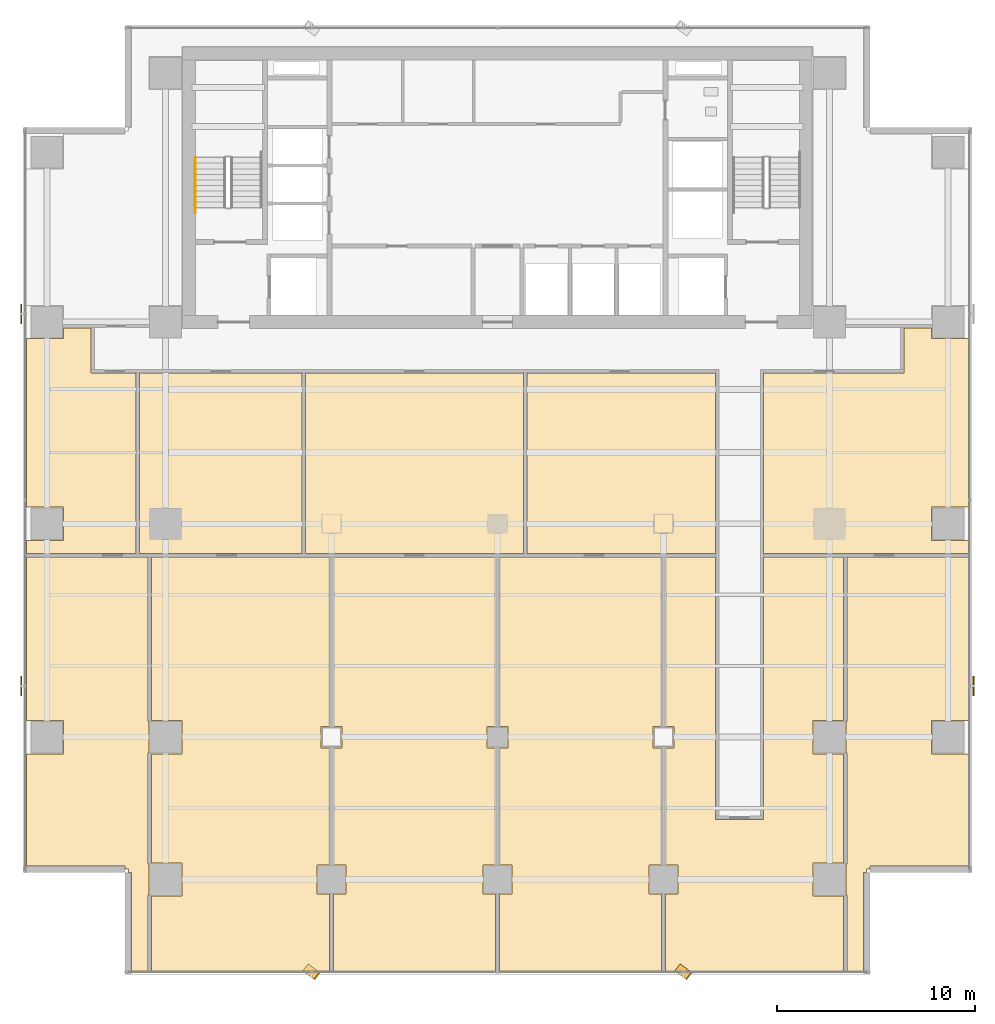
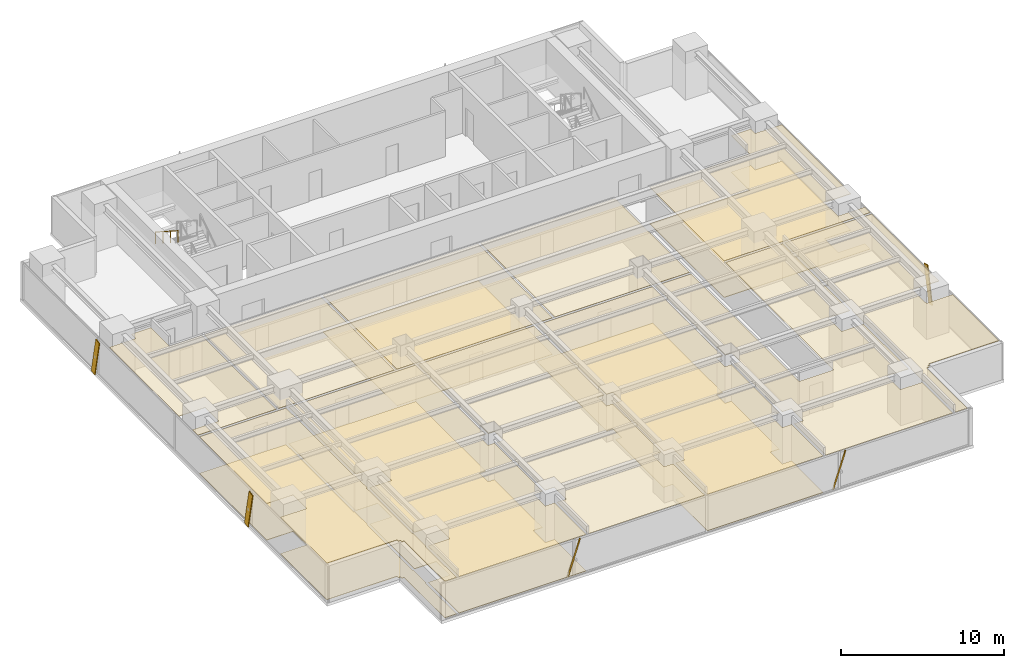
# One storey, part 24 of 28: 16 coverings, 5 shading devices, 1 railing.
"""IFC4 building model written with IfcOpenShell, lengths in metres."""

from ifc_helpers import new_model, si_unit, direction, frame, origin, origin_2d, place, context, subcontext, project, spatial, polyline, rectangle, outline, extrude, source, transform, mapped, material, layer, layer_set, material_profile, profile_set, type_object, element, save


model = new_model("IFC4")

# Units and contexts
model_context = context("Model", 3, precision=1e-05, world=origin(), true_north=direction((0.0, 1.0)))
body_context = subcontext(model_context, "Body", "Model", "MODEL_VIEW")
ifc_project = project(units=[si_unit("LENGTHUNIT", "METRE"), si_unit("AREAUNIT", "SQUARE_METRE"), si_unit("VOLUMEUNIT", "CUBIC_METRE"), si_unit("PLANEANGLEUNIT", "RADIAN"), si_unit("MASSUNIT", "GRAM", prefix="KILO")], contexts=[model_context])

# Site, building, storey
site_placement = place(None, origin())
site = spatial("IfcSite", under=ifc_project, at=site_placement, CompositionType="ELEMENT")
building_placement = place(site_placement, origin())
building = spatial("IfcBuilding", under=site, at=building_placement, Name="Sumidabori Civic Tower", CompositionType="ELEMENT")
storey_placement = place(building_placement, frame((0.0, 0.0, 146.0)))
storey = spatial("IfcBuildingStorey", under=building, at=storey_placement, Name="L37", CompositionType="ELEMENT", Elevation=146.0)

# Coverings
ifc_material_1 = material(Name="Acoustic Mineral Gypsum Ceiling Tile")
ifc_layer_1 = layer(ifc_material_1, 0.034912109375, Name="Acoustic Mineral Gypsum Ceiling Tile")
ifc_layer_set_1 = layer_set([ifc_layer_1], Name="Acoustic Mineral Gypsum Ceiling Tile")
covering_type_1 = type_object("IfcCoveringType", Name="CV-CEIL-AC1", PredefinedType="CEILING", material=ifc_layer_set_1)
covering_1_placement = place(storey_placement, frame((0.0, 0.0, 2.72998046875)))
element("IfcCovering", 1, at=covering_1_placement, inside=storey, type_object=covering_type_1, Name="Room Acoustic Ceiling L37-02", PredefinedType="CEILING", context=body_context, shape_type="SweptSolid", body=[
    extrude(outline(polyline([(-21.9599609375, 9.360107421875), (-21.9599609375, 9.905029296875), (-20.570068359375, 9.905029296875), (-20.570068359375, 7.6298828125), (-18.294921875, 7.6298828125), (-18.294921875, -1.5048828125), (-23.830078125, -1.5048828125), (-23.830078125, -0.840087890625), (-21.9599609375, -0.840087890625), (-21.9599609375, 0.840087890625), (-23.830078125, 0.840087890625), (-23.830078125, 9.360107421875), (-21.9599609375, 9.360107421875)])), origin(), (0.0, 0.0, 1.0), 0.034912109375),
])
covering_2_placement = place(storey_placement, frame((0.0, 0.0, 2.72998046875)))
element("IfcCovering", 2, at=covering_2_placement, inside=storey, type_object=covering_type_1, Name="Room Acoustic Ceiling L37-03", PredefinedType="CEILING", context=body_context, shape_type="SweptSolid", body=[
    extrude(outline(polyline([(13.469970703125, 7.6298828125), (20.570068359375, 7.6298828125), (20.570068359375, 9.905029296875), (21.9599609375, 9.905029296875), (21.9599609375, 9.360107421875), (23.830078125, 9.360107421875), (23.830078125, 0.840087890625), (21.9599609375, 0.840087890625), (21.9599609375, -0.840087890625), (23.830078125, -0.840087890625), (23.830078125, -1.5048828125), (13.469970703125, -1.5048828125), (13.469970703125, 7.6298828125)])), origin(), (0.0, 0.0, 1.0), 0.034912109375),
])
covering_3_placement = place(storey_placement, frame((0.0, 0.0, 2.72998046875)))
element("IfcCovering", 3, at=covering_3_placement, inside=storey, type_object=covering_type_1, Name="Room Acoustic Ceiling L37-04", PredefinedType="CEILING", context=body_context, shape_type="SweptSolid", body=[
    extrude(outline(polyline([(-18.10498046875, 7.6298828125), (-9.89501953125, 7.6298828125), (-9.89501953125, -1.5048828125), (-18.10498046875, -1.5048828125), (-18.10498046875, 7.6298828125)])), origin(), (0.0, 0.0, 1.0), 0.034912109375),
])
covering_4_placement = place(storey_placement, frame((0.0, 0.0, 2.72998046875)))
element("IfcCovering", 4, at=covering_4_placement, inside=storey, type_object=covering_type_1, Name="Room Acoustic Ceiling L37-05", PredefinedType="CEILING", context=body_context, shape_type="SweptSolid", body=[
    extrude(outline(polyline([(-9.705078125, 7.6298828125), (1.304931640625, 7.6298828125), (1.304931640625, -1.5048828125), (-9.705078125, -1.5048828125), (-9.705078125, 7.6298828125)])), origin(), (0.0, 0.0, 1.0), 0.034912109375),
])
covering_5_placement = place(storey_placement, frame((0.0, 0.0, 2.72998046875)))
element("IfcCovering", 5, at=covering_5_placement, inside=storey, type_object=covering_type_1, Name="Room Acoustic Ceiling L37-06", PredefinedType="CEILING", context=body_context, shape_type="SweptSolid", body=[
    extrude(outline(polyline([(1.4951171875, 7.6298828125), (11.030029296875, 7.6298828125), (11.030029296875, -1.5048828125), (1.4951171875, -1.5048828125), (1.4951171875, 7.6298828125)])), origin(), (0.0, 0.0, 1.0), 0.034912109375),
])
covering_6_placement = place(storey_placement, frame((0.0, 0.0, 2.72998046875)))
element("IfcCovering", 6, at=covering_6_placement, inside=storey, type_object=covering_type_1, Name="Room Acoustic Ceiling L37-07", PredefinedType="CEILING", context=body_context, shape_type="SweptSolid", body=[
    extrude(outline(polyline([(-21.9599609375, -11.639892578125), (-21.9599609375, -9.9599609375), (-23.830078125, -9.9599609375), (-23.830078125, -1.695068359375), (-17.695068359375, -1.695068359375), (-17.695068359375, -10.010009765625), (-17.639892578125, -10.010009765625), (-17.639892578125, -11.590087890625), (-17.695068359375, -11.590087890625), (-17.695068359375, -17.2099609375), (-17.639892578125, -17.2099609375), (-17.639892578125, -18.7900390625), (-17.695068359375, -18.7900390625), (-17.695068359375, -22.6298828125), (-18.52197265625, -22.6298828125), (-18.52197265625, -17.64208984375), (-18.679931640625, -17.64208984375), (-18.679931640625, -17.47998046875), (-18.842041015625, -17.47998046875), (-18.842041015625, -17.322021484375), (-23.830078125, -17.322021484375), (-23.830078125, -11.639892578125), (-21.9599609375, -11.639892578125)])), origin(), (0.0, 0.0, 1.0), 0.034912109375),
])
covering_7_placement = place(storey_placement, frame((0.0, 0.0, 2.72998046875)))
element("IfcCovering", 7, at=covering_7_placement, inside=storey, type_object=covering_type_1, Name="Room Acoustic Ceiling L37-08", PredefinedType="CEILING", context=body_context, shape_type="SweptSolid", body=[
    extrude(outline(polyline([(17.695068359375, -18.7900390625), (17.639892578125, -18.7900390625), (17.639892578125, -17.2099609375), (17.695068359375, -17.2099609375), (17.695068359375, -11.590087890625), (17.639892578125, -11.590087890625), (17.639892578125, -10.010009765625), (17.695068359375, -10.010009765625), (17.695068359375, -1.695068359375), (23.830078125, -1.695068359375), (23.830078125, -9.9599609375), (21.9599609375, -9.9599609375), (21.9599609375, -11.639892578125), (23.830078125, -11.639892578125), (23.830078125, -17.322021484375), (18.842041015625, -17.322021484375), (18.842041015625, -17.47998046875), (18.679931640625, -17.47998046875), (18.679931640625, -17.64208984375), (18.52197265625, -17.64208984375), (18.52197265625, -22.6298828125), (17.695068359375, -22.6298828125), (17.695068359375, -18.7900390625)])), origin(), (0.0, 0.0, 1.0), 0.034912109375),
])
covering_8_placement = place(storey_placement, frame((0.0, 0.0, 2.72998046875)))
element("IfcCovering", 8, at=covering_8_placement, inside=storey, type_object=covering_type_1, Name="Room Acoustic Ceiling L37-09", PredefinedType="CEILING", context=body_context, shape_type="SweptSolid", body=[
    extrude(outline(polyline([(-17.5048828125, -18.840087890625), (-15.9599609375, -18.840087890625), (-15.9599609375, -17.159912109375), (-17.5048828125, -17.159912109375), (-17.5048828125, -11.639892578125), (-15.9599609375, -11.639892578125), (-15.9599609375, -9.9599609375), (-17.5048828125, -9.9599609375), (-17.5048828125, -1.695068359375), (-8.4951171875, -1.695068359375), (-8.4951171875, -10.260009765625), (-8.93994140625, -10.260009765625), (-8.93994140625, -11.340087890625), (-8.4951171875, -11.340087890625), (-8.4951171875, -17.260009765625), (-9.139892578125, -17.260009765625), (-9.139892578125, -18.739990234375), (-8.4951171875, -18.739990234375), (-8.4951171875, -22.6298828125), (-17.5048828125, -22.6298828125), (-17.5048828125, -18.840087890625)])), origin(), (0.0, 0.0, 1.0), 0.034912109375),
])
covering_9_placement = place(storey_placement, frame((0.0, 0.0, 2.72998046875)))
element("IfcCovering", 9, at=covering_9_placement, inside=storey, type_object=covering_type_1, Name="Room Acoustic Ceiling L37-10", PredefinedType="CEILING", context=body_context, shape_type="SweptSolid", body=[
    extrude(outline(polyline([(-8.304931640625, -18.739990234375), (-7.659912109375, -18.739990234375), (-7.659912109375, -17.260009765625), (-8.304931640625, -17.260009765625), (-8.304931640625, -11.340087890625), (-7.860107421875, -11.340087890625), (-7.860107421875, -10.260009765625), (-8.304931640625, -10.260009765625), (-8.304931640625, -1.695068359375), (-0.094970703125, -1.695068359375), (-0.094970703125, -10.260009765625), (-0.5400390625, -10.260009765625), (-0.5400390625, -11.340087890625), (-0.094970703125, -11.340087890625), (-0.094970703125, -17.260009765625), (-0.739990234375, -17.260009765625), (-0.739990234375, -18.739990234375), (-0.094970703125, -18.739990234375), (-0.094970703125, -22.6298828125), (-8.304931640625, -22.6298828125), (-8.304931640625, -18.739990234375)])), origin(), (0.0, 0.0, 1.0), 0.034912109375),
])
covering_10_placement = place(storey_placement, frame((0.0, 0.0, 2.72998046875)))
element("IfcCovering", 10, at=covering_10_placement, inside=storey, type_object=covering_type_1, Name="Room Acoustic Ceiling L37-11", PredefinedType="CEILING", context=body_context, shape_type="SweptSolid", body=[
    extrude(outline(polyline([(0.094970703125, -18.739990234375), (0.739990234375, -18.739990234375), (0.739990234375, -17.260009765625), (0.094970703125, -17.260009765625), (0.094970703125, -11.340087890625), (0.5400390625, -11.340087890625), (0.5400390625, -10.260009765625), (0.094970703125, -10.260009765625), (0.094970703125, -1.695068359375), (8.304931640625, -1.695068359375), (8.304931640625, -10.260009765625), (7.860107421875, -10.260009765625), (7.860107421875, -11.340087890625), (8.304931640625, -11.340087890625), (8.304931640625, -17.260009765625), (7.659912109375, -17.260009765625), (7.659912109375, -18.739990234375), (8.304931640625, -18.739990234375), (8.304931640625, -22.6298828125), (0.094970703125, -22.6298828125), (0.094970703125, -18.739990234375)])), origin(), (0.0, 0.0, 1.0), 0.034912109375),
])
covering_11_placement = place(storey_placement, frame((0.0, 0.0, 2.72998046875)))
element("IfcCovering", 11, at=covering_11_placement, inside=storey, type_object=covering_type_1, Name="Room Acoustic Ceiling L37-12", PredefinedType="CEILING", context=body_context, shape_type="SweptSolid", body=[
    extrude(outline(polyline([(8.4951171875, -18.739990234375), (9.139892578125, -18.739990234375), (9.139892578125, -17.260009765625), (8.4951171875, -17.260009765625), (8.4951171875, -11.340087890625), (8.93994140625, -11.340087890625), (8.93994140625, -10.260009765625), (8.4951171875, -10.260009765625), (8.4951171875, -1.695068359375), (11.030029296875, -1.695068359375), (11.030029296875, -14.969970703125), (13.469970703125, -14.969970703125), (13.469970703125, -1.695068359375), (17.5048828125, -1.695068359375), (17.5048828125, -9.9599609375), (15.9599609375, -9.9599609375), (15.9599609375, -11.639892578125), (17.5048828125, -11.639892578125), (17.5048828125, -17.159912109375), (15.9599609375, -17.159912109375), (15.9599609375, -18.840087890625), (17.5048828125, -18.840087890625), (17.5048828125, -22.6298828125), (8.4951171875, -22.6298828125), (8.4951171875, -18.739990234375)])), origin(), (0.0, 0.0, 1.0), 0.034912109375),
])
ifc_material_2 = material(Name="Honed Terrazzo Tile Flooring")
ifc_layer_2 = layer(ifc_material_2, 0.030029296875, Name="Honed Terrazzo Tile Flooring")
ifc_layer_set_2 = layer_set([ifc_layer_2], Name="Honed Terrazzo Tile Flooring")
covering_type_2 = type_object("IfcCoveringType", Name="CV-FLR-TER", PredefinedType="FLOORING", material=ifc_layer_set_2)
covering_12_placement = place(storey_placement, origin())
element("IfcCovering", 12, at=covering_12_placement, inside=storey, type_object=covering_type_2, Name="Room Terrazzo Floor L37-03", PredefinedType="FLOORING", context=body_context, shape_type="SweptSolid", body=[
    extrude(outline(polyline([(13.469970703125, 7.6298828125), (20.570068359375, 7.6298828125), (20.570068359375, 9.905029296875), (21.9599609375, 9.905029296875), (21.9599609375, 9.360107421875), (23.830078125, 9.360107421875), (23.830078125, 0.840087890625), (21.9599609375, 0.840087890625), (21.9599609375, -0.840087890625), (23.830078125, -0.840087890625), (23.830078125, -1.5048828125), (13.469970703125, -1.5048828125), (13.469970703125, 7.6298828125)])), origin(), (0.0, 0.0, 1.0), 0.030029296875),
])
covering_13_placement = place(storey_placement, origin())
element("IfcCovering", 13, at=covering_13_placement, inside=storey, type_object=covering_type_2, Name="Room Terrazzo Floor L37-05", PredefinedType="FLOORING", context=body_context, shape_type="SweptSolid", body=[
    extrude(outline(polyline([(-9.705078125, 7.6298828125), (1.304931640625, 7.6298828125), (1.304931640625, -1.5048828125), (-9.705078125, -1.5048828125), (-9.705078125, 7.6298828125)])), origin(), (0.0, 0.0, 1.0), 0.030029296875),
])
covering_14_placement = place(storey_placement, origin())
element("IfcCovering", 14, at=covering_14_placement, inside=storey, type_object=covering_type_2, Name="Room Terrazzo Floor L37-07", PredefinedType="FLOORING", context=body_context, shape_type="SweptSolid", body=[
    extrude(outline(polyline([(-21.9599609375, -11.639892578125), (-21.9599609375, -9.9599609375), (-23.830078125, -9.9599609375), (-23.830078125, -1.695068359375), (-17.695068359375, -1.695068359375), (-17.695068359375, -10.010009765625), (-17.639892578125, -10.010009765625), (-17.639892578125, -11.590087890625), (-17.695068359375, -11.590087890625), (-17.695068359375, -17.2099609375), (-17.639892578125, -17.2099609375), (-17.639892578125, -18.7900390625), (-17.695068359375, -18.7900390625), (-17.695068359375, -22.6298828125), (-18.52197265625, -22.6298828125), (-18.52197265625, -17.64208984375), (-18.679931640625, -17.64208984375), (-18.679931640625, -17.47998046875), (-18.842041015625, -17.47998046875), (-18.842041015625, -17.322021484375), (-23.830078125, -17.322021484375), (-23.830078125, -11.639892578125), (-21.9599609375, -11.639892578125)])), origin(), (0.0, 0.0, 1.0), 0.030029296875),
])
covering_15_placement = place(storey_placement, origin())
element("IfcCovering", 15, at=covering_15_placement, inside=storey, type_object=covering_type_2, Name="Room Terrazzo Floor L37-09", PredefinedType="FLOORING", context=body_context, shape_type="SweptSolid", body=[
    extrude(outline(polyline([(-17.5048828125, -18.840087890625), (-15.9599609375, -18.840087890625), (-15.9599609375, -17.159912109375), (-17.5048828125, -17.159912109375), (-17.5048828125, -11.639892578125), (-15.9599609375, -11.639892578125), (-15.9599609375, -9.9599609375), (-17.5048828125, -9.9599609375), (-17.5048828125, -1.695068359375), (-8.4951171875, -1.695068359375), (-8.4951171875, -10.260009765625), (-8.93994140625, -10.260009765625), (-8.93994140625, -11.340087890625), (-8.4951171875, -11.340087890625), (-8.4951171875, -17.260009765625), (-9.139892578125, -17.260009765625), (-9.139892578125, -18.739990234375), (-8.4951171875, -18.739990234375), (-8.4951171875, -22.6298828125), (-17.5048828125, -22.6298828125), (-17.5048828125, -18.840087890625)])), origin(), (0.0, 0.0, 1.0), 0.030029296875),
])
covering_16_placement = place(storey_placement, origin())
element("IfcCovering", 16, at=covering_16_placement, inside=storey, type_object=covering_type_2, Name="Room Terrazzo Floor L37-11", PredefinedType="FLOORING", context=body_context, shape_type="SweptSolid", body=[
    extrude(outline(polyline([(0.094970703125, -18.739990234375), (0.739990234375, -18.739990234375), (0.739990234375, -17.260009765625), (0.094970703125, -17.260009765625), (0.094970703125, -11.340087890625), (0.5400390625, -11.340087890625), (0.5400390625, -10.260009765625), (0.094970703125, -10.260009765625), (0.094970703125, -1.695068359375), (8.304931640625, -1.695068359375), (8.304931640625, -10.260009765625), (7.860107421875, -10.260009765625), (7.860107421875, -11.340087890625), (8.304931640625, -11.340087890625), (8.304931640625, -17.260009765625), (7.659912109375, -17.260009765625), (7.659912109375, -18.739990234375), (8.304931640625, -18.739990234375), (8.304931640625, -22.6298828125), (0.094970703125, -22.6298828125), (0.094970703125, -18.739990234375)])), origin(), (0.0, 0.0, 1.0), 0.030029296875),
])

# Railing
ifc_material_3 = material(Name="Stainless Steel Hairline Finish", Category="steel")
railing_type = type_object("IfcRailingType", Name="RL-HANDRAIL", PredefinedType="HANDRAIL", material=ifc_material_3)
railing_placement = place(storey_placement, frame((-15.2900390625, 18.52001953125, 1.97998046875)))
element("IfcRailing", 17, at=railing_placement, inside=storey, type_object=railing_type, Name="L37 ST-1 stair handrail 2", PredefinedType="HANDRAIL", context=body_context, shape_type="SweptSolid", body=[
    extrude(rectangle(XDim=0.048095703125, YDim=0.048095703125, at=origin_2d()), frame((0.0, 0.0, 0.8759765625), z_axis=(0.0, -0.840675598268, 0.541539046124), x_axis=(1.0, 0.0, 0.0)), (0.0, 0.0, 1.0), 3.330810546875),
    extrude(rectangle(XDim=0.0419921875, YDim=0.0419921875, at=origin_2d()), origin(), (0.0, 0.0, 1.0), 0.851806640625),
    extrude(rectangle(XDim=0.0419921875, YDim=0.0419921875, at=origin_2d()), frame((0.0, -0.933349609375, 0.601318359375)), (0.0, 0.0, 1.0), 0.851806640625),
    extrude(rectangle(XDim=0.0419921875, YDim=0.0419921875, at=origin_2d()), frame((0.0, -1.86669921875, 1.202392578125)), (0.0, 0.0, 1.0), 0.851806640625),
    extrude(rectangle(XDim=0.0419921875, YDim=0.0419921875, at=origin_2d()), frame((0.0, -2.800048828125, 1.8037109375)), (0.0, 0.0, 1.0), 0.851806640625),
])

# Shading devices
ifc_material_4 = material(Name="Anodised Bronze Aluminium AW-6063-T6", Category="aluminium")
ifc_material_profile = material_profile(ifc_material_4, rectangle(XDim=0.06005859375, YDim=0.449951171875, at=origin_2d()), Name="BRONZE FIN 450x60")
ifc_profile_set = profile_set([ifc_material_profile], Name="Anodised Bronze Aluminium AW-6063-T6")
shading_device_type = type_object("IfcShadingDeviceType", Name="SH-FIN-450", PredefinedType="USERDEFINED", material=ifc_profile_set)
shared_shape_1 = source(origin(), body_context, "Body", "SweptSolid", [
    extrude(rectangle(XDim=0.06005859375, YDim=0.449951171875, at=origin_2d()), origin(), (0.0, 0.0, 1.0), 2.789306640625),
])
for number, where, z_axis, x_axis, name in (
    (18, (-9.68994140625, -22.469970703125, 0.02001953125), (0.200794136335, -0.150551837182, 0.967995794998), (0.774477654896, -0.580689436103, -0.250966413819), "Bronze Anodised Diagonal Fin L37-01"),
    (19, (9.1298828125, -22.469970703125, 0.02001953125), (0.200794136335, -0.150551837182, 0.967995794998), (0.774477654896, -0.580689436103, -0.250966413819), "Bronze Anodised Diagonal Fin L37-03"),
):
    element("IfcShadingDevice", number, at=place(storey_placement, frame(where, z_axis=z_axis, x_axis=x_axis)), inside=storey, type_object=shading_device_type, Name=name, ObjectType="FIN", PredefinedType="USERDEFINED", context=body_context, shape_type="MappedRepresentation", body=[
        mapped(shared_shape_1, transform((0.0, 0.0, 0.0), x_axis=(1.0, 0.0, 0.0), y_axis=(0.0, 1.0, 0.0), z_axis=(0.0, 0.0, 1.0), scale=1.0)),
    ])
shared_shape_2 = source(origin(), body_context, "Body", "SweptSolid", [
    extrude(rectangle(XDim=0.06005859375, YDim=0.449951171875, at=origin_2d()), origin(), (0.0, 0.0, 1.0), 2.75732421875),
])
for number, where, z_axis, x_axis, name in (
    (20, (24.090087890625, -8.489990234375, 0.02001953125), (0.0, 0.203109150817, 0.979156102393), (-1.0, 0.0, 0.0), "Bronze Anodised Diagonal Fin L37-01"),
    (21, (-24.090087890625, 10.889892578125, 0.02001953125), (0.0, -0.20302426177, 0.979173707333), (-1.0, 0.0, 0.0), "Bronze Anodised Diagonal Fin L37-01"),
    (22, (-24.090087890625, -7.929931640625, 0.02001953125), (0.0, -0.203109150817, 0.979156102393), (-1.0, 0.0, 0.0), "Bronze Anodised Diagonal Fin L37-03"),
):
    element("IfcShadingDevice", number, at=place(storey_placement, frame(where, z_axis=z_axis, x_axis=x_axis)), inside=storey, type_object=shading_device_type, Name=name, ObjectType="FIN", PredefinedType="USERDEFINED", context=body_context, shape_type="MappedRepresentation", body=[
        mapped(shared_shape_2, transform((0.0, 0.0, 0.0), x_axis=(1.0, 0.0, 0.0), y_axis=(0.0, 1.0, 0.0), z_axis=(0.0, 0.0, 1.0), scale=1.0)),
    ])

save(model, "model.ifc")
